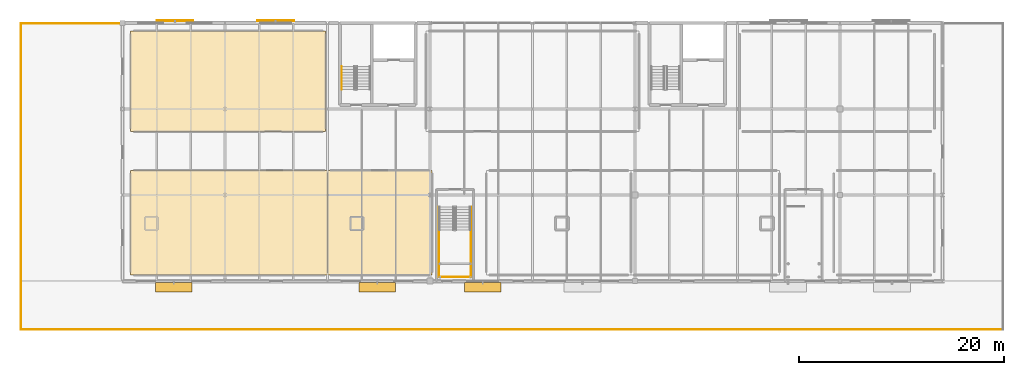
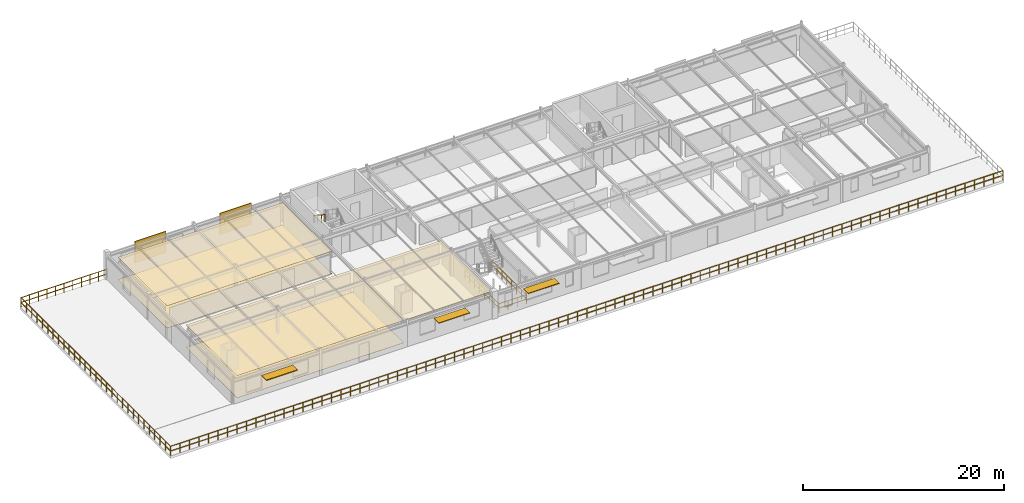
# One storey, part 21 of 23: 7 railings, 5 coverings, 5 shading devices.
"""IFC4 building model written with IfcOpenShell, lengths in metres."""

from ifc_helpers import new_model, si_unit, derived_unit, direction, frame, origin, origin_2d_with_axis, place, context, subcontext, project, spatial, polyline, rectangle, circle, outline, extrude, material, layer, layer_set, type_object, element, save


model = new_model("IFC4")

# Units and contexts
model_context = context("Model", 3, precision=1e-05, world=origin(), true_north=direction((0.0, 1.0)))
body_context = subcontext(model_context, "Body", "Model", "MODEL_VIEW")
ifc_project = project(units=[si_unit("LENGTHUNIT", "METRE"), si_unit("AREAUNIT", "SQUARE_METRE"), si_unit("VOLUMEUNIT", "CUBIC_METRE"), si_unit("PLANEANGLEUNIT", "RADIAN"), si_unit("MASSUNIT", "GRAM", prefix="KILO"), derived_unit("THERMALTRANSMITTANCEUNIT", [(si_unit("POWERUNIT", "WATT"), 1), (si_unit("LENGTHUNIT", "METRE"), -2), (si_unit("THERMODYNAMICTEMPERATUREUNIT", "KELVIN"), -1)])], contexts=[model_context])

# Site, building, storey
site_placement = place(None, origin())
site = spatial("IfcSite", under=ifc_project, at=site_placement, CompositionType="ELEMENT")
building_placement = place(site_placement, origin())
building = spatial("IfcBuilding", under=site, at=building_placement, Name="Cinnabar Yard Market Hall", CompositionType="ELEMENT")
storey_placement = place(building_placement, frame((0.0, 0.0, 12.0)))
storey = spatial("IfcBuildingStorey", under=building, at=storey_placement, Name="L03", CompositionType="ELEMENT", Elevation=12.0)

# Coverings
ifc_material_1 = material(Name="Perforated acoustic spotted-gum timber slats", Category="wood")
ifc_layer_1 = layer(ifc_material_1, 0.0400390625)
ifc_layer_set_1 = layer_set([ifc_layer_1], Name="Perforated acoustic spotted-gum timber slats")
covering_type_1 = type_object("IfcCoveringType", Name="COV-CLG1", PredefinedType="CEILING", material=ifc_layer_set_1)
covering_1_placement = place(storey_placement, frame((0.0, 0.0, 2.7099609375)))
element("IfcCovering", 1, at=covering_1_placement, inside=storey, type_object=covering_type_1, Name="Ceiling Regional Cooking Masterclass Studio 301", PredefinedType="CEILING", context=body_context, shape_type="SweptSolid", body=[
    extrude(outline(polyline([(76.800048828125, 113.39990234375), (96.0, 113.39990234375), (96.0, 123.60009765625), (76.800048828125, 123.60009765625), (76.800048828125, 113.39990234375)])), origin(), (0.0, 0.0, 1.0), 0.03515625),
])
covering_2_placement = place(storey_placement, frame((0.0, 0.0, 2.7099609375)))
element("IfcCovering", 2, at=covering_2_placement, inside=storey, type_object=covering_type_1, Name="Ceiling Spice and Open-Hearth Masterclass Studio 302", PredefinedType="CEILING", context=body_context, shape_type="SweptSolid", body=[
    extrude(outline(polyline([(96.0, 113.39990234375), (106.199951171875, 113.39990234375), (106.199951171875, 123.60009765625), (96.0, 123.60009765625), (96.0, 113.39990234375)])), origin(), (0.0, 0.0, 1.0), 0.03515625),
])
covering_3_placement = place(storey_placement, frame((0.0, 0.0, 2.7099609375)))
element("IfcCovering", 3, at=covering_3_placement, inside=storey, type_object=covering_type_1, Name="Ceiling Culinary Faculty Workroom", PredefinedType="CEILING", context=body_context, shape_type="SweptSolid", body=[
    extrude(outline(polyline([(76.800048828125, 127.39990234375), (95.800048828125, 127.39990234375), (95.800048828125, 137.199951171875), (76.800048828125, 137.199951171875), (76.800048828125, 127.39990234375)])), origin(), (0.0, 0.0, 1.0), 0.03515625),
])
ifc_material_2 = material(Name="Honed Adelaide red terrazzo flooring")
ifc_layer_2 = layer(ifc_material_2, 0.030029296875)
ifc_layer_set_2 = layer_set([ifc_layer_2], Name="Honed Adelaide red terrazzo flooring")
covering_type_2 = type_object("IfcCoveringType", Name="COV-FLR1", PredefinedType="FLOORING", material=ifc_layer_set_2)
covering_4_placement = place(storey_placement, origin())
element("IfcCovering", 4, at=covering_4_placement, inside=storey, type_object=covering_type_2, Name="Flooring Regional Cooking Masterclass Studio 301", PredefinedType="FLOORING", context=body_context, shape_type="SweptSolid", body=[
    extrude(outline(polyline([(76.800048828125, 113.39990234375), (96.0, 113.39990234375), (96.0, 123.60009765625), (76.800048828125, 123.60009765625), (76.800048828125, 113.39990234375)])), origin(), (0.0, 0.0, 1.0), 0.02490234375),
])
covering_5_placement = place(storey_placement, origin())
element("IfcCovering", 5, at=covering_5_placement, inside=storey, type_object=covering_type_2, Name="Flooring Culinary Faculty Workroom", PredefinedType="FLOORING", context=body_context, shape_type="SweptSolid", body=[
    extrude(outline(polyline([(76.800048828125, 127.39990234375), (95.800048828125, 127.39990234375), (95.800048828125, 137.199951171875), (76.800048828125, 137.199951171875), (76.800048828125, 127.39990234375)])), origin(), (0.0, 0.0, 1.0), 0.02490234375),
])

# Railings
ifc_material_3 = material(Name="Laminated glass and bronze handrail", Category="glass")
ifc_layer_3 = layer(ifc_material_3, 0.070068359375)
ifc_layer_set_3 = layer_set([ifc_layer_3], Name="Laminated glass and bronze handrail")
railing_type_1 = type_object("IfcRailingType", Name="RL-G01", PredefinedType="BALUSTRADE", material=ifc_layer_set_3)
railing_1_placement = place(storey_placement, frame((106.860107421875, 120.050048828125, 0.0)))
element("IfcRailing", 6, at=railing_1_placement, inside=storey, type_object=railing_type_1, Name="Feature Stair ST-F4 L03 Well Guard 1", PredefinedType="BALUSTRADE", context=body_context, shape_type="SweptSolid", body=[
    extrude(circle(Radius=0.02392578125, at=origin_2d_with_axis()), frame((0.0, 0.0, 1.09619140625), z_axis=(0.0, -1.0, 0.0), x_axis=(1.0, 0.0, 0.0)), (0.0, 0.0, 1.0), 6.840087890625),
    extrude(circle(Radius=0.02392578125, at=origin_2d_with_axis()), frame((0.0, 0.0, 0.550048828125), z_axis=(0.0, -1.0, 0.0), x_axis=(1.0, 0.0, 0.0)), (0.0, 0.0, 1.0), 6.840087890625),
    extrude(circle(Radius=0.02099609375, at=origin_2d_with_axis()), origin(), (0.0, 0.0, 1.0), 1.072021484375),
    extrude(circle(Radius=0.02099609375, at=origin_2d_with_axis()), frame((0.0, -0.97705078125, 0.0)), (0.0, 0.0, 1.0), 1.072021484375),
    extrude(circle(Radius=0.02099609375, at=origin_2d_with_axis()), frame((0.0, -1.954345703125, 0.0)), (0.0, 0.0, 1.0), 1.072021484375),
    extrude(circle(Radius=0.02099609375, at=origin_2d_with_axis()), frame((0.0, -2.931396484375, 0.0)), (0.0, 0.0, 1.0), 1.072021484375),
    extrude(circle(Radius=0.02099609375, at=origin_2d_with_axis()), frame((0.0, -3.90869140625, 0.0)), (0.0, 0.0, 1.0), 1.072021484375),
    extrude(circle(Radius=0.02099609375, at=origin_2d_with_axis()), frame((0.0, -4.8857421875, 0.0)), (0.0, 0.0, 1.0), 1.072021484375),
    extrude(circle(Radius=0.02099609375, at=origin_2d_with_axis()), frame((0.0, -5.863037109375, 0.0)), (0.0, 0.0, 1.0), 1.072021484375),
    extrude(circle(Radius=0.02099609375, at=origin_2d_with_axis()), frame((0.0, -6.840087890625, 0.0)), (0.0, 0.0, 1.0), 1.072021484375),
])
railing_2_placement = place(storey_placement, frame((106.860107421875, 113.2099609375, 0.0)))
element("IfcRailing", 7, at=railing_2_placement, inside=storey, type_object=railing_type_1, Name="Feature Stair ST-F4 L03 Well Guard 2", PredefinedType="BALUSTRADE", context=body_context, shape_type="SweptSolid", body=[
    extrude(circle(Radius=0.02392578125, at=origin_2d_with_axis()), frame((0.0, 0.0, 1.09619140625), z_axis=(1.0, 0.0, 0.0), x_axis=(0.0, 1.0, 0.0)), (0.0, 0.0, 1.0), 3.139892578125),
    extrude(circle(Radius=0.02392578125, at=origin_2d_with_axis()), frame((0.0, 0.0, 0.550048828125), z_axis=(1.0, 0.0, 0.0), x_axis=(0.0, 1.0, 0.0)), (0.0, 0.0, 1.0), 3.139892578125),
    extrude(circle(Radius=0.02099609375, at=origin_2d_with_axis()), origin(), (0.0, 0.0, 1.0), 1.072021484375),
    extrude(circle(Radius=0.02099609375, at=origin_2d_with_axis()), frame((1.046630859375, 0.0, 0.0)), (0.0, 0.0, 1.0), 1.072021484375),
    extrude(circle(Radius=0.02099609375, at=origin_2d_with_axis()), frame((2.09326171875, 0.0, 0.0)), (0.0, 0.0, 1.0), 1.072021484375),
    extrude(circle(Radius=0.02099609375, at=origin_2d_with_axis()), frame((3.139892578125, 0.0, 0.0)), (0.0, 0.0, 1.0), 1.072021484375),
])
railing_3_placement = place(storey_placement, frame((110.0, 113.2099609375, 0.0)))
element("IfcRailing", 8, at=railing_3_placement, inside=storey, type_object=railing_type_1, Name="Feature Stair ST-F4 L03 Well Guard 3", PredefinedType="BALUSTRADE", context=body_context, shape_type="SweptSolid", body=[
    extrude(circle(Radius=0.02392578125, at=origin_2d_with_axis()), frame((0.0, 0.0, 1.09619140625), z_axis=(0.0, 1.0, 0.0), x_axis=(-1.0, 0.0, 0.0)), (0.0, 0.0, 1.0), 6.840087890625),
    extrude(circle(Radius=0.02392578125, at=origin_2d_with_axis()), frame((0.0, 0.0, 0.550048828125), z_axis=(0.0, 1.0, 0.0), x_axis=(-1.0, 0.0, 0.0)), (0.0, 0.0, 1.0), 6.840087890625),
    extrude(circle(Radius=0.02099609375, at=origin_2d_with_axis()), origin(), (0.0, 0.0, 1.0), 1.072021484375),
    extrude(circle(Radius=0.02099609375, at=origin_2d_with_axis()), frame((0.0, 0.97705078125, 0.0)), (0.0, 0.0, 1.0), 1.072021484375),
    extrude(circle(Radius=0.02099609375, at=origin_2d_with_axis()), frame((0.0, 1.954345703125, 0.0)), (0.0, 0.0, 1.0), 1.072021484375),
    extrude(circle(Radius=0.02099609375, at=origin_2d_with_axis()), frame((0.0, 2.931396484375, 0.0)), (0.0, 0.0, 1.0), 1.072021484375),
    extrude(circle(Radius=0.02099609375, at=origin_2d_with_axis()), frame((0.0, 3.90869140625, 0.0)), (0.0, 0.0, 1.0), 1.072021484375),
    extrude(circle(Radius=0.02099609375, at=origin_2d_with_axis()), frame((0.0, 4.8857421875, 0.0)), (0.0, 0.0, 1.0), 1.072021484375),
    extrude(circle(Radius=0.02099609375, at=origin_2d_with_axis()), frame((0.0, 5.863037109375, 0.0)), (0.0, 0.0, 1.0), 1.072021484375),
    extrude(circle(Radius=0.02099609375, at=origin_2d_with_axis()), frame((0.0, 6.840087890625, 0.0)), (0.0, 0.0, 1.0), 1.072021484375),
])
ifc_material_4 = material(Name="Perforated bronze steel balustrade", Category="steel")
ifc_layer_4 = layer(ifc_material_4, 0.080078125)
ifc_layer_set_4 = layer_set([ifc_layer_4], Name="Perforated bronze steel balustrade")
railing_type_2 = type_object("IfcRailingType", Name="RL-G02", PredefinedType="BALUSTRADE", material=ifc_layer_set_4)
railing_4_placement = place(storey_placement, frame((76.0, 137.919921875, 0.0)))
element("IfcRailing", 9, at=railing_4_placement, inside=storey, type_object=railing_type_2, Name="L03 Stepped Roof Garden Balustrade 1", PredefinedType="BALUSTRADE", context=body_context, shape_type="SweptSolid", body=[
    extrude(circle(Radius=0.02392578125, at=origin_2d_with_axis()), frame((0.0, 0.0, 1.1259765625), z_axis=(-1.0, 0.0, 0.0), x_axis=(0.0, -1.0, 0.0)), (0.0, 0.0, 1.0), 9.919921875),
    extrude(circle(Radius=0.02392578125, at=origin_2d_with_axis()), frame((0.0, 0.0, 0.550048828125), z_axis=(-1.0, 0.0, 0.0), x_axis=(0.0, -1.0, 0.0)), (0.0, 0.0, 1.0), 9.919921875),
    extrude(circle(Radius=0.02099609375, at=origin_2d_with_axis()), origin(), (0.0, 0.0, 1.0), 1.101806640625),
    extrude(circle(Radius=0.02099609375, at=origin_2d_with_axis()), frame((-0.991943359375, 0.0, 0.0)), (0.0, 0.0, 1.0), 1.101806640625),
    extrude(circle(Radius=0.02099609375, at=origin_2d_with_axis()), frame((-1.98388671875, 0.0, 0.0)), (0.0, 0.0, 1.0), 1.101806640625),
    extrude(circle(Radius=0.02099609375, at=origin_2d_with_axis()), frame((-2.97607421875, 0.0, 0.0)), (0.0, 0.0, 1.0), 1.101806640625),
    extrude(circle(Radius=0.02099609375, at=origin_2d_with_axis()), frame((-3.968017578125, 0.0, 0.0)), (0.0, 0.0, 1.0), 1.101806640625),
    extrude(circle(Radius=0.02099609375, at=origin_2d_with_axis()), frame((-4.9599609375, 0.0, 0.0)), (0.0, 0.0, 1.0), 1.101806640625),
    extrude(circle(Radius=0.02099609375, at=origin_2d_with_axis()), frame((-5.951904296875, 0.0, 0.0)), (0.0, 0.0, 1.0), 1.101806640625),
    extrude(circle(Radius=0.02099609375, at=origin_2d_with_axis()), frame((-6.94384765625, 0.0, 0.0)), (0.0, 0.0, 1.0), 1.101806640625),
    extrude(circle(Radius=0.02099609375, at=origin_2d_with_axis()), frame((-7.93603515625, 0.0, 0.0)), (0.0, 0.0, 1.0), 1.101806640625),
    extrude(circle(Radius=0.02099609375, at=origin_2d_with_axis()), frame((-8.927978515625, 0.0, 0.0)), (0.0, 0.0, 1.0), 1.101806640625),
    extrude(circle(Radius=0.02099609375, at=origin_2d_with_axis()), frame((-9.919921875, 0.0, 0.0)), (0.0, 0.0, 1.0), 1.101806640625),
])
railing_5_placement = place(storey_placement, frame((66.080078125, 137.919921875, 0.0)))
element("IfcRailing", 10, at=railing_5_placement, inside=storey, type_object=railing_type_2, Name="L03 Stepped Roof Garden Balustrade 2", PredefinedType="BALUSTRADE", context=body_context, shape_type="SweptSolid", body=[
    extrude(circle(Radius=0.02392578125, at=origin_2d_with_axis()), frame((0.0, 0.0, 1.1259765625), z_axis=(0.0, -1.0, 0.0), x_axis=(1.0, 0.0, 0.0)), (0.0, 0.0, 1.0), 29.83984375),
    extrude(circle(Radius=0.02392578125, at=origin_2d_with_axis()), frame((0.0, 0.0, 0.550048828125), z_axis=(0.0, -1.0, 0.0), x_axis=(1.0, 0.0, 0.0)), (0.0, 0.0, 1.0), 29.83984375),
    extrude(circle(Radius=0.02099609375, at=origin_2d_with_axis()), origin(), (0.0, 0.0, 1.0), 1.101806640625),
    extrude(circle(Radius=0.02099609375, at=origin_2d_with_axis()), frame((0.0, -1.065673828125, 0.0)), (0.0, 0.0, 1.0), 1.101806640625),
    extrude(circle(Radius=0.02099609375, at=origin_2d_with_axis()), frame((0.0, -2.13134765625, 0.0)), (0.0, 0.0, 1.0), 1.101806640625),
    extrude(circle(Radius=0.02099609375, at=origin_2d_with_axis()), frame((0.0, -3.197021484375, 0.0)), (0.0, 0.0, 1.0), 1.101806640625),
    extrude(circle(Radius=0.02099609375, at=origin_2d_with_axis()), frame((0.0, -4.262939453125, 0.0)), (0.0, 0.0, 1.0), 1.101806640625),
    extrude(circle(Radius=0.02099609375, at=origin_2d_with_axis()), frame((0.0, -5.32861328125, 0.0)), (0.0, 0.0, 1.0), 1.101806640625),
    extrude(circle(Radius=0.02099609375, at=origin_2d_with_axis()), frame((0.0, -6.394287109375, 0.0)), (0.0, 0.0, 1.0), 1.101806640625),
    extrude(circle(Radius=0.02099609375, at=origin_2d_with_axis()), frame((0.0, -7.4599609375, 0.0)), (0.0, 0.0, 1.0), 1.101806640625),
    extrude(circle(Radius=0.02099609375, at=origin_2d_with_axis()), frame((0.0, -8.525634765625, 0.0)), (0.0, 0.0, 1.0), 1.101806640625),
    extrude(circle(Radius=0.02099609375, at=origin_2d_with_axis()), frame((0.0, -9.59130859375, 0.0)), (0.0, 0.0, 1.0), 1.101806640625),
    extrude(circle(Radius=0.02099609375, at=origin_2d_with_axis()), frame((0.0, -10.656982421875, 0.0)), (0.0, 0.0, 1.0), 1.101806640625),
    extrude(circle(Radius=0.02099609375, at=origin_2d_with_axis()), frame((0.0, -11.722900390625, 0.0)), (0.0, 0.0, 1.0), 1.101806640625),
    extrude(circle(Radius=0.02099609375, at=origin_2d_with_axis()), frame((0.0, -12.78857421875, 0.0)), (0.0, 0.0, 1.0), 1.101806640625),
    extrude(circle(Radius=0.02099609375, at=origin_2d_with_axis()), frame((0.0, -13.854248046875, 0.0)), (0.0, 0.0, 1.0), 1.101806640625),
    extrude(circle(Radius=0.02099609375, at=origin_2d_with_axis()), frame((0.0, -14.919921875, 0.0)), (0.0, 0.0, 1.0), 1.101806640625),
    extrude(circle(Radius=0.02099609375, at=origin_2d_with_axis()), frame((0.0, -15.985595703125, 0.0)), (0.0, 0.0, 1.0), 1.101806640625),
    extrude(circle(Radius=0.02099609375, at=origin_2d_with_axis()), frame((0.0, -17.05126953125, 0.0)), (0.0, 0.0, 1.0), 1.101806640625),
    extrude(circle(Radius=0.02099609375, at=origin_2d_with_axis()), frame((0.0, -18.116943359375, 0.0)), (0.0, 0.0, 1.0), 1.101806640625),
    extrude(circle(Radius=0.02099609375, at=origin_2d_with_axis()), frame((0.0, -19.182861328125, 0.0)), (0.0, 0.0, 1.0), 1.101806640625),
    extrude(circle(Radius=0.02099609375, at=origin_2d_with_axis()), frame((0.0, -20.24853515625, 0.0)), (0.0, 0.0, 1.0), 1.101806640625),
    extrude(circle(Radius=0.02099609375, at=origin_2d_with_axis()), frame((0.0, -21.314208984375, 0.0)), (0.0, 0.0, 1.0), 1.101806640625),
    extrude(circle(Radius=0.02099609375, at=origin_2d_with_axis()), frame((0.0, -22.3798828125, 0.0)), (0.0, 0.0, 1.0), 1.101806640625),
    extrude(circle(Radius=0.02099609375, at=origin_2d_with_axis()), frame((0.0, -23.445556640625, 0.0)), (0.0, 0.0, 1.0), 1.101806640625),
    extrude(circle(Radius=0.02099609375, at=origin_2d_with_axis()), frame((0.0, -24.51123046875, 0.0)), (0.0, 0.0, 1.0), 1.101806640625),
    extrude(circle(Radius=0.02099609375, at=origin_2d_with_axis()), frame((0.0, -25.576904296875, 0.0)), (0.0, 0.0, 1.0), 1.101806640625),
    extrude(circle(Radius=0.02099609375, at=origin_2d_with_axis()), frame((0.0, -26.642822265625, 0.0)), (0.0, 0.0, 1.0), 1.101806640625),
    extrude(circle(Radius=0.02099609375, at=origin_2d_with_axis()), frame((0.0, -27.70849609375, 0.0)), (0.0, 0.0, 1.0), 1.101806640625),
    extrude(circle(Radius=0.02099609375, at=origin_2d_with_axis()), frame((0.0, -28.774169921875, 0.0)), (0.0, 0.0, 1.0), 1.101806640625),
    extrude(circle(Radius=0.02099609375, at=origin_2d_with_axis()), frame((0.0, -29.83984375, 0.0)), (0.0, 0.0, 1.0), 1.101806640625),
])
railing_6_placement = place(storey_placement, frame((66.080078125, 108.080078125, 0.0)))
element("IfcRailing", 11, at=railing_6_placement, inside=storey, type_object=railing_type_2, Name="L03 Stepped Roof Garden Balustrade 3", PredefinedType="BALUSTRADE", context=body_context, shape_type="SweptSolid", body=[
    extrude(circle(Radius=0.02392578125, at=origin_2d_with_axis()), frame((0.0, 0.0, 1.1259765625), z_axis=(1.0, 0.0, 0.0), x_axis=(0.0, 1.0, 0.0)), (0.0, 0.0, 1.0), 95.83984375),
    extrude(circle(Radius=0.02392578125, at=origin_2d_with_axis()), frame((0.0, 0.0, 0.550048828125), z_axis=(1.0, 0.0, 0.0), x_axis=(0.0, 1.0, 0.0)), (0.0, 0.0, 1.0), 95.83984375),
    extrude(circle(Radius=0.02099609375, at=origin_2d_with_axis()), origin(), (0.0, 0.0, 1.0), 1.101806640625),
    extrude(circle(Radius=0.02099609375, at=origin_2d_with_axis()), frame((1.089111328125, 0.0, 0.0)), (0.0, 0.0, 1.0), 1.101806640625),
    extrude(circle(Radius=0.02099609375, at=origin_2d_with_axis()), frame((2.17822265625, 0.0, 0.0)), (0.0, 0.0, 1.0), 1.101806640625),
    extrude(circle(Radius=0.02099609375, at=origin_2d_with_axis()), frame((3.267333984375, 0.0, 0.0)), (0.0, 0.0, 1.0), 1.101806640625),
    extrude(circle(Radius=0.02099609375, at=origin_2d_with_axis()), frame((4.3564453125, 0.0, 0.0)), (0.0, 0.0, 1.0), 1.101806640625),
    extrude(circle(Radius=0.02099609375, at=origin_2d_with_axis()), frame((5.445556640625, 0.0, 0.0)), (0.0, 0.0, 1.0), 1.101806640625),
    extrude(circle(Radius=0.02099609375, at=origin_2d_with_axis()), frame((6.534423828125, 0.0, 0.0)), (0.0, 0.0, 1.0), 1.101806640625),
    extrude(circle(Radius=0.02099609375, at=origin_2d_with_axis()), frame((7.62353515625, 0.0, 0.0)), (0.0, 0.0, 1.0), 1.101806640625),
    extrude(circle(Radius=0.02099609375, at=origin_2d_with_axis()), frame((8.712646484375, 0.0, 0.0)), (0.0, 0.0, 1.0), 1.101806640625),
    extrude(circle(Radius=0.02099609375, at=origin_2d_with_axis()), frame((9.8017578125, 0.0, 0.0)), (0.0, 0.0, 1.0), 1.101806640625),
    extrude(circle(Radius=0.02099609375, at=origin_2d_with_axis()), frame((10.890869140625, 0.0, 0.0)), (0.0, 0.0, 1.0), 1.101806640625),
    extrude(circle(Radius=0.02099609375, at=origin_2d_with_axis()), frame((11.97998046875, 0.0, 0.0)), (0.0, 0.0, 1.0), 1.101806640625),
    extrude(circle(Radius=0.02099609375, at=origin_2d_with_axis()), frame((13.069091796875, 0.0, 0.0)), (0.0, 0.0, 1.0), 1.101806640625),
    extrude(circle(Radius=0.02099609375, at=origin_2d_with_axis()), frame((14.158203125, 0.0, 0.0)), (0.0, 0.0, 1.0), 1.101806640625),
    extrude(circle(Radius=0.02099609375, at=origin_2d_with_axis()), frame((15.247314453125, 0.0, 0.0)), (0.0, 0.0, 1.0), 1.101806640625),
    extrude(circle(Radius=0.02099609375, at=origin_2d_with_axis()), frame((16.33642578125, 0.0, 0.0)), (0.0, 0.0, 1.0), 1.101806640625),
    extrude(circle(Radius=0.02099609375, at=origin_2d_with_axis()), frame((17.425537109375, 0.0, 0.0)), (0.0, 0.0, 1.0), 1.101806640625),
    extrude(circle(Radius=0.02099609375, at=origin_2d_with_axis()), frame((18.514404296875, 0.0, 0.0)), (0.0, 0.0, 1.0), 1.101806640625),
    extrude(circle(Radius=0.02099609375, at=origin_2d_with_axis()), frame((19.603515625, 0.0, 0.0)), (0.0, 0.0, 1.0), 1.101806640625),
    extrude(circle(Radius=0.02099609375, at=origin_2d_with_axis()), frame((20.692626953125, 0.0, 0.0)), (0.0, 0.0, 1.0), 1.101806640625),
    extrude(circle(Radius=0.02099609375, at=origin_2d_with_axis()), frame((21.78173828125, 0.0, 0.0)), (0.0, 0.0, 1.0), 1.101806640625),
    extrude(circle(Radius=0.02099609375, at=origin_2d_with_axis()), frame((22.870849609375, 0.0, 0.0)), (0.0, 0.0, 1.0), 1.101806640625),
    extrude(circle(Radius=0.02099609375, at=origin_2d_with_axis()), frame((23.9599609375, 0.0, 0.0)), (0.0, 0.0, 1.0), 1.101806640625),
    extrude(circle(Radius=0.02099609375, at=origin_2d_with_axis()), frame((25.049072265625, 0.0, 0.0)), (0.0, 0.0, 1.0), 1.101806640625),
    extrude(circle(Radius=0.02099609375, at=origin_2d_with_axis()), frame((26.13818359375, 0.0, 0.0)), (0.0, 0.0, 1.0), 1.101806640625),
    extrude(circle(Radius=0.02099609375, at=origin_2d_with_axis()), frame((27.227294921875, 0.0, 0.0)), (0.0, 0.0, 1.0), 1.101806640625),
    extrude(circle(Radius=0.02099609375, at=origin_2d_with_axis()), frame((28.31640625, 0.0, 0.0)), (0.0, 0.0, 1.0), 1.101806640625),
    extrude(circle(Radius=0.02099609375, at=origin_2d_with_axis()), frame((29.405517578125, 0.0, 0.0)), (0.0, 0.0, 1.0), 1.101806640625),
    extrude(circle(Radius=0.02099609375, at=origin_2d_with_axis()), frame((30.494384765625, 0.0, 0.0)), (0.0, 0.0, 1.0), 1.101806640625),
    extrude(circle(Radius=0.02099609375, at=origin_2d_with_axis()), frame((31.58349609375, 0.0, 0.0)), (0.0, 0.0, 1.0), 1.101806640625),
    extrude(circle(Radius=0.02099609375, at=origin_2d_with_axis()), frame((32.672607421875, 0.0, 0.0)), (0.0, 0.0, 1.0), 1.101806640625),
    extrude(circle(Radius=0.02099609375, at=origin_2d_with_axis()), frame((33.76171875, 0.0, 0.0)), (0.0, 0.0, 1.0), 1.101806640625),
    extrude(circle(Radius=0.02099609375, at=origin_2d_with_axis()), frame((34.850830078125, 0.0, 0.0)), (0.0, 0.0, 1.0), 1.101806640625),
    extrude(circle(Radius=0.02099609375, at=origin_2d_with_axis()), frame((35.93994140625, 0.0, 0.0)), (0.0, 0.0, 1.0), 1.101806640625),
    extrude(circle(Radius=0.02099609375, at=origin_2d_with_axis()), frame((37.029052734375, 0.0, 0.0)), (0.0, 0.0, 1.0), 1.101806640625),
    extrude(circle(Radius=0.02099609375, at=origin_2d_with_axis()), frame((38.1181640625, 0.0, 0.0)), (0.0, 0.0, 1.0), 1.101806640625),
    extrude(circle(Radius=0.02099609375, at=origin_2d_with_axis()), frame((39.207275390625, 0.0, 0.0)), (0.0, 0.0, 1.0), 1.101806640625),
    extrude(circle(Radius=0.02099609375, at=origin_2d_with_axis()), frame((40.29638671875, 0.0, 0.0)), (0.0, 0.0, 1.0), 1.101806640625),
    extrude(circle(Radius=0.02099609375, at=origin_2d_with_axis()), frame((41.385498046875, 0.0, 0.0)), (0.0, 0.0, 1.0), 1.101806640625),
    extrude(circle(Radius=0.02099609375, at=origin_2d_with_axis()), frame((42.474365234375, 0.0, 0.0)), (0.0, 0.0, 1.0), 1.101806640625),
    extrude(circle(Radius=0.02099609375, at=origin_2d_with_axis()), frame((43.5634765625, 0.0, 0.0)), (0.0, 0.0, 1.0), 1.101806640625),
    extrude(circle(Radius=0.02099609375, at=origin_2d_with_axis()), frame((44.652587890625, 0.0, 0.0)), (0.0, 0.0, 1.0), 1.101806640625),
    extrude(circle(Radius=0.02099609375, at=origin_2d_with_axis()), frame((45.74169921875, 0.0, 0.0)), (0.0, 0.0, 1.0), 1.101806640625),
    extrude(circle(Radius=0.02099609375, at=origin_2d_with_axis()), frame((46.830810546875, 0.0, 0.0)), (0.0, 0.0, 1.0), 1.101806640625),
    extrude(circle(Radius=0.02099609375, at=origin_2d_with_axis()), frame((47.919921875, 0.0, 0.0)), (0.0, 0.0, 1.0), 1.101806640625),
    extrude(circle(Radius=0.02099609375, at=origin_2d_with_axis()), frame((49.009033203125, 0.0, 0.0)), (0.0, 0.0, 1.0), 1.101806640625),
    extrude(circle(Radius=0.02099609375, at=origin_2d_with_axis()), frame((50.09814453125, 0.0, 0.0)), (0.0, 0.0, 1.0), 1.101806640625),
    extrude(circle(Radius=0.02099609375, at=origin_2d_with_axis()), frame((51.187255859375, 0.0, 0.0)), (0.0, 0.0, 1.0), 1.101806640625),
    extrude(circle(Radius=0.02099609375, at=origin_2d_with_axis()), frame((52.2763671875, 0.0, 0.0)), (0.0, 0.0, 1.0), 1.101806640625),
    extrude(circle(Radius=0.02099609375, at=origin_2d_with_axis()), frame((53.365478515625, 0.0, 0.0)), (0.0, 0.0, 1.0), 1.101806640625),
    extrude(circle(Radius=0.02099609375, at=origin_2d_with_axis()), frame((54.454345703125, 0.0, 0.0)), (0.0, 0.0, 1.0), 1.101806640625),
    extrude(circle(Radius=0.02099609375, at=origin_2d_with_axis()), frame((55.54345703125, 0.0, 0.0)), (0.0, 0.0, 1.0), 1.101806640625),
    extrude(circle(Radius=0.02099609375, at=origin_2d_with_axis()), frame((56.632568359375, 0.0, 0.0)), (0.0, 0.0, 1.0), 1.101806640625),
    extrude(circle(Radius=0.02099609375, at=origin_2d_with_axis()), frame((57.7216796875, 0.0, 0.0)), (0.0, 0.0, 1.0), 1.101806640625),
    extrude(circle(Radius=0.02099609375, at=origin_2d_with_axis()), frame((58.810791015625, 0.0, 0.0)), (0.0, 0.0, 1.0), 1.101806640625),
    extrude(circle(Radius=0.02099609375, at=origin_2d_with_axis()), frame((59.89990234375, 0.0, 0.0)), (0.0, 0.0, 1.0), 1.101806640625),
    extrude(circle(Radius=0.02099609375, at=origin_2d_with_axis()), frame((60.989013671875, 0.0, 0.0)), (0.0, 0.0, 1.0), 1.101806640625),
    extrude(circle(Radius=0.02099609375, at=origin_2d_with_axis()), frame((62.078125, 0.0, 0.0)), (0.0, 0.0, 1.0), 1.101806640625),
    extrude(circle(Radius=0.02099609375, at=origin_2d_with_axis()), frame((63.167236328125, 0.0, 0.0)), (0.0, 0.0, 1.0), 1.101806640625),
    extrude(circle(Radius=0.02099609375, at=origin_2d_with_axis()), frame((64.25634765625, 0.0, 0.0)), (0.0, 0.0, 1.0), 1.101806640625),
    extrude(circle(Radius=0.02099609375, at=origin_2d_with_axis()), frame((65.345458984375, 0.0, 0.0)), (0.0, 0.0, 1.0), 1.101806640625),
    extrude(circle(Radius=0.02099609375, at=origin_2d_with_axis()), frame((66.434326171875, 0.0, 0.0)), (0.0, 0.0, 1.0), 1.101806640625),
    extrude(circle(Radius=0.02099609375, at=origin_2d_with_axis()), frame((67.5234375, 0.0, 0.0)), (0.0, 0.0, 1.0), 1.101806640625),
    extrude(circle(Radius=0.02099609375, at=origin_2d_with_axis()), frame((68.612548828125, 0.0, 0.0)), (0.0, 0.0, 1.0), 1.101806640625),
    extrude(circle(Radius=0.02099609375, at=origin_2d_with_axis()), frame((69.70166015625, 0.0, 0.0)), (0.0, 0.0, 1.0), 1.101806640625),
    extrude(circle(Radius=0.02099609375, at=origin_2d_with_axis()), frame((70.790771484375, 0.0, 0.0)), (0.0, 0.0, 1.0), 1.101806640625),
    extrude(circle(Radius=0.02099609375, at=origin_2d_with_axis()), frame((71.8798828125, 0.0, 0.0)), (0.0, 0.0, 1.0), 1.101806640625),
    extrude(circle(Radius=0.02099609375, at=origin_2d_with_axis()), frame((72.968994140625, 0.0, 0.0)), (0.0, 0.0, 1.0), 1.101806640625),
    extrude(circle(Radius=0.02099609375, at=origin_2d_with_axis()), frame((74.05810546875, 0.0, 0.0)), (0.0, 0.0, 1.0), 1.101806640625),
    extrude(circle(Radius=0.02099609375, at=origin_2d_with_axis()), frame((75.147216796875, 0.0, 0.0)), (0.0, 0.0, 1.0), 1.101806640625),
    extrude(circle(Radius=0.02099609375, at=origin_2d_with_axis()), frame((76.236328125, 0.0, 0.0)), (0.0, 0.0, 1.0), 1.101806640625),
    extrude(circle(Radius=0.02099609375, at=origin_2d_with_axis()), frame((77.325439453125, 0.0, 0.0)), (0.0, 0.0, 1.0), 1.101806640625),
    extrude(circle(Radius=0.02099609375, at=origin_2d_with_axis()), frame((78.414306640625, 0.0, 0.0)), (0.0, 0.0, 1.0), 1.101806640625),
    extrude(circle(Radius=0.02099609375, at=origin_2d_with_axis()), frame((79.50341796875, 0.0, 0.0)), (0.0, 0.0, 1.0), 1.101806640625),
    extrude(circle(Radius=0.02099609375, at=origin_2d_with_axis()), frame((80.592529296875, 0.0, 0.0)), (0.0, 0.0, 1.0), 1.101806640625),
    extrude(circle(Radius=0.02099609375, at=origin_2d_with_axis()), frame((81.681640625, 0.0, 0.0)), (0.0, 0.0, 1.0), 1.101806640625),
    extrude(circle(Radius=0.02099609375, at=origin_2d_with_axis()), frame((82.770751953125, 0.0, 0.0)), (0.0, 0.0, 1.0), 1.101806640625),
    extrude(circle(Radius=0.02099609375, at=origin_2d_with_axis()), frame((83.85986328125, 0.0, 0.0)), (0.0, 0.0, 1.0), 1.101806640625),
    extrude(circle(Radius=0.02099609375, at=origin_2d_with_axis()), frame((84.948974609375, 0.0, 0.0)), (0.0, 0.0, 1.0), 1.101806640625),
    extrude(circle(Radius=0.02099609375, at=origin_2d_with_axis()), frame((86.0380859375, 0.0, 0.0)), (0.0, 0.0, 1.0), 1.101806640625),
    extrude(circle(Radius=0.02099609375, at=origin_2d_with_axis()), frame((87.127197265625, 0.0, 0.0)), (0.0, 0.0, 1.0), 1.101806640625),
    extrude(circle(Radius=0.02099609375, at=origin_2d_with_axis()), frame((88.21630859375, 0.0, 0.0)), (0.0, 0.0, 1.0), 1.101806640625),
    extrude(circle(Radius=0.02099609375, at=origin_2d_with_axis()), frame((89.305419921875, 0.0, 0.0)), (0.0, 0.0, 1.0), 1.101806640625),
    extrude(circle(Radius=0.02099609375, at=origin_2d_with_axis()), frame((90.394287109375, 0.0, 0.0)), (0.0, 0.0, 1.0), 1.101806640625),
    extrude(circle(Radius=0.02099609375, at=origin_2d_with_axis()), frame((91.4833984375, 0.0, 0.0)), (0.0, 0.0, 1.0), 1.101806640625),
    extrude(circle(Radius=0.02099609375, at=origin_2d_with_axis()), frame((92.572509765625, 0.0, 0.0)), (0.0, 0.0, 1.0), 1.101806640625),
    extrude(circle(Radius=0.02099609375, at=origin_2d_with_axis()), frame((93.66162109375, 0.0, 0.0)), (0.0, 0.0, 1.0), 1.101806640625),
    extrude(circle(Radius=0.02099609375, at=origin_2d_with_axis()), frame((94.750732421875, 0.0, 0.0)), (0.0, 0.0, 1.0), 1.101806640625),
    extrude(circle(Radius=0.02099609375, at=origin_2d_with_axis()), frame((95.83984375, 0.0, 0.0)), (0.0, 0.0, 1.0), 1.101806640625),
])
ifc_material_5 = material(Name="Brushed stainless steel handrail", Category="steel")
ifc_layer_5 = layer(ifc_material_5, 0.050048828125)
ifc_layer_set_5 = layer_set([ifc_layer_5], Name="Brushed stainless steel handrail")
railing_type_3 = type_object("IfcRailingType", Name="RL-HR1", PredefinedType="HANDRAIL", material=ifc_layer_set_5)
railing_7_placement = place(storey_placement, frame((97.389892578125, 133.72998046875, 1.833251953125)))
element("IfcRailing", 12, at=railing_7_placement, inside=storey, type_object=railing_type_3, Name="L03 ST-C5 stair handrail 2", PredefinedType="HANDRAIL", context=body_context, shape_type="SweptSolid", body=[
    extrude(circle(Radius=0.02392578125, at=origin_2d_with_axis()), frame((0.0, 0.0, 0.8759765625), z_axis=(0.0, -0.836595146698, 0.547821650285), x_axis=(1.0, 0.0, 0.0)), (0.0, 0.0, 1.0), 2.677490234375),
    extrude(circle(Radius=0.02099609375, at=origin_2d_with_axis()), origin(), (0.0, 0.0, 1.0), 0.851806640625),
    extrude(circle(Radius=0.02099609375, at=origin_2d_with_axis()), frame((0.0, -0.74658203125, 0.489013671875)), (0.0, 0.0, 1.0), 0.851806640625),
    extrude(circle(Radius=0.02099609375, at=origin_2d_with_axis()), frame((0.0, -1.493408203125, 0.977783203125)), (0.0, 0.0, 1.0), 0.851806640625),
    extrude(circle(Radius=0.02099609375, at=origin_2d_with_axis()), frame((0.0, -2.239990234375, 1.466796875)), (0.0, 0.0, 1.0), 0.851806640625),
])

# Shading devices
ifc_material_6 = material(Name="Projecting sandstone-clad steel chhajja hood", Category="masonry")
shading_device_type_1 = type_object("IfcShadingDeviceType", Name="SHD-CHJ1", PredefinedType="SHUTTER", material=ifc_material_6)
for number, where, z_axis, x_axis, name in (
    (13, (80.9990234375, 112.199951171875, 2.294921875), (0.0, 0.0, 1.0), (1.0, 0.0, 0.0), "Wing South Chhajja Hood L03 Bay 1"),
    (14, (100.85302734375, 112.199951171875, 2.294921875), (0.0, 0.0, 1.0), (1.0, 0.0, 0.0), "Wing South Chhajja Hood L03 Bay 3"),
    (15, (111.14697265625, 112.199951171875, 2.294921875), (0.0, 0.0, 1.0), (1.0, 0.0, 0.0), "Wing South Chhajja Hood L03 Bay 4"),
):
    element("IfcShadingDevice", number, at=place(storey_placement, frame(where, z_axis=z_axis, x_axis=x_axis)), inside=storey, type_object=shading_device_type_1, Name=name, PredefinedType="SHUTTER", context=body_context, shape_type="SweptSolid", body=[
        extrude(rectangle(XDim=3.60009765625, YDim=0.949951171875, at=origin_2d_with_axis()), origin(), (0.0, 0.0, 1.0), 0.090087890625),
    ])
ifc_material_7 = material(Name="Perforated weathering bronze aluminium jali screen", Category="aluminium")
shading_device_type_2 = type_object("IfcShadingDeviceType", Name="SHD-JALI1", PredefinedType="JALOUSIE", material=ifc_material_7)
for number, where, z_axis, x_axis, name in (
    (16, (81.1220703125, 138.219970703125, 0.550048828125), (0.0, 0.0, 1.0), (1.0, 0.0, 0.0), "Wing North Jali Screen L03 Bay 1"),
    (17, (90.939697265625, 138.219970703125, 0.550048828125), (0.0, 0.0, 1.0), (1.0, 0.0, 0.0), "Wing North Jali Screen L03 Bay 2"),
):
    element("IfcShadingDevice", number, at=place(storey_placement, frame(where, z_axis=z_axis, x_axis=x_axis)), inside=storey, type_object=shading_device_type_2, Name=name, PredefinedType="JALOUSIE", context=body_context, shape_type="SweptSolid", body=[
        extrude(rectangle(XDim=3.60009765625, YDim=0.080078125, at=origin_2d_with_axis()), origin(), (0.0, 0.0, 1.0), 2.60009765625),
    ])

save(model, "model.ifc")
